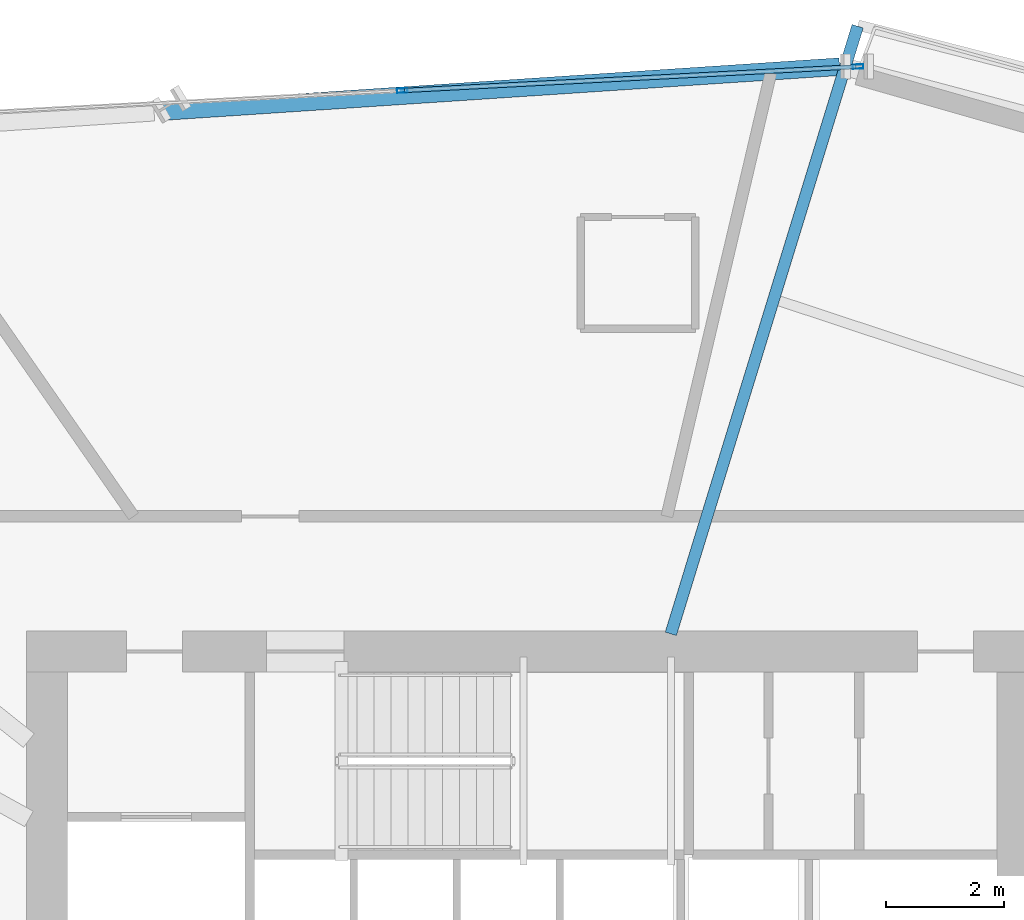
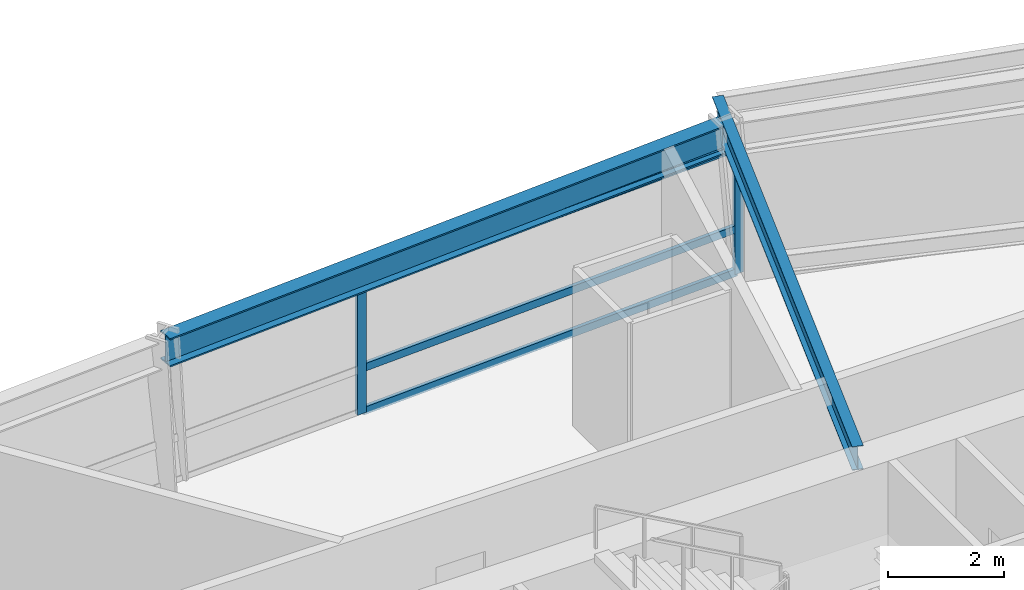
# One storey, part 8 of 21: 5 members, 2 beams, 1 element without a shape of its own.
"""IFC4 building model written with IfcOpenShell, lengths in metres."""

from ifc_helpers import new_model, si_unit, direction, frame, origin, origin_2d, place, context, subcontext, project, spatial, hollow_rectangle, i_section, extrude, source, transform, mapped, material, material_profile, profile_set, type_object, element, aggregate, save


model = new_model("IFC4")

# Units and contexts
model_context = context("Model", 3, precision=1e-05, world=origin(), true_north=direction((0.0, 1.0)))
body_context = subcontext(model_context, "Body", "Model", "MODEL_VIEW")
ifc_project = project(units=[si_unit("LENGTHUNIT", "METRE"), si_unit("AREAUNIT", "SQUARE_METRE"), si_unit("VOLUMEUNIT", "CUBIC_METRE"), si_unit("PLANEANGLEUNIT", "RADIAN"), si_unit("MASSUNIT", "GRAM", prefix="KILO")], contexts=[model_context])

# Site, building, storey
site_placement = place(None, origin())
site = spatial("IfcSite", under=ifc_project, at=site_placement, CompositionType="ELEMENT")
building_placement = place(site_placement, origin())
building = spatial("IfcBuilding", under=site, at=building_placement, Name="Olszyna Solenne Hotel", CompositionType="ELEMENT")
storey_placement = place(building_placement, frame((0.0, 0.0, 105.699951171875)))
storey = spatial("IfcBuildingStorey", under=building, at=storey_placement, Name="L27", CompositionType="ELEMENT", Elevation=105.699951171875)

# Beams
ifc_material_1 = material(Name="Steel S355J2", Category="steel")
ifc_material_profile_1 = material_profile(ifc_material_1, i_section(OverallWidth=0.300048828125, OverallDepth=0.60009765625, WebThickness=0.015380859375, FlangeThickness=0.030029296875, at=origin_2d()), Name="HEB 600", Category="load-bearing")
ifc_profile_set_1 = profile_set([ifc_material_profile_1], Name="Steel S355J2")
beam_type_1 = type_object("IfcBeamType", Name="BM-S2", PredefinedType="BEAM", material=ifc_profile_set_1)
shared_shape_1 = source(origin(), body_context, "Body", "SweptSolid", [
    extrude(i_section(OverallWidth=0.300048828125, OverallDepth=0.60009765625, WebThickness=0.015380859375, FlangeThickness=0.030029296875, at=origin_2d()), origin(), (0.0, 0.0, 1.0), 11.556640625),
])
beam_1_placement = place(storey_placement, frame((43.222412109375, 43.9931640625, 3.0), z_axis=(-0.99780586103, -0.066207731378, 0.0), x_axis=(0.066207731378, -0.99780586103, 0.0)))
element("IfcBeam", 1, at=beam_1_placement, inside=storey, type_object=beam_type_1, Name="Perimeter spandrel beam BM-S2 B-L27-0812", PredefinedType="BEAM", context=body_context, shape_type="MappedRepresentation", body=[
    mapped(shared_shape_1, transform((0.0, 0.0, 0.0), x_axis=(1.0, 0.0, 0.0), y_axis=(0.0, 1.0, 0.0), z_axis=(0.0, 0.0, 1.0), scale=1.0)),
])
ifc_material_profile_2 = material_profile(ifc_material_1, i_section(OverallWidth=0.199951171875, OverallDepth=0.5, WebThickness=0.01025390625, FlangeThickness=0.01611328125, at=origin_2d()), Name="IPE 500", Category="load-bearing")
ifc_profile_set_2 = profile_set([ifc_material_profile_2], Name="Steel S355J2")
beam_type_2 = type_object("IfcBeamType", Name="BM-F3", PredefinedType="BEAM", material=ifc_profile_set_2)
shared_shape_2 = source(origin(), body_context, "Body", "SweptSolid", [
    extrude(i_section(OverallWidth=0.199951171875, OverallDepth=0.5, WebThickness=0.01025390625, FlangeThickness=0.01611328125, at=origin_2d()), origin(), (0.0, 0.0, 1.0), 10.805419921875),
])
beam_2_placement = place(storey_placement, frame((43.52978515625, 44.680419921875, 3.050048828125), z_axis=(-0.293928662125, -0.955827359716, 0.0), x_axis=(0.955827359716, -0.293928662125, 0.0)))
element("IfcBeam", 2, at=beam_2_placement, inside=storey, type_object=beam_type_2, Name="Radial floor girder BM-F3 B-L27-0824", PredefinedType="BEAM", context=body_context, shape_type="MappedRepresentation", body=[
    mapped(shared_shape_2, transform((0.0, 0.0, 0.0), x_axis=(1.0, 0.0, 0.0), y_axis=(0.0, 1.0, 0.0), z_axis=(0.0, 0.0, 1.0), scale=1.0)),
])

# Curtain wall, members
ifc_material_2 = material(Name="Anodised bronze aluminium", Category="aluminium")
curtain_wall_type = type_object("IfcCurtainWallType", Name="CW-SYS-3", PredefinedType="NOTDEFINED", material=ifc_material_2)
curtain_wall_placement = place(storey_placement, origin())
curtain_wall = element("IfcCurtainWall", 3, at=curtain_wall_placement, inside=storey, type_object=curtain_wall_type, Name="Unitised curtain wall CW-SYS-3 CW-L27-02", PredefinedType="NOTDEFINED")
ifc_material_profile_3 = material_profile(ifc_material_2, hollow_rectangle(XDim=0.074951171875, YDim=0.179931640625, WallThickness=0.00439453125, at=origin_2d()), Name="MULL 180x75x4.5", Category="load-bearing")
ifc_profile_set_3 = profile_set([ifc_material_profile_3], Name="Anodised bronze aluminium")
member_type_1 = type_object("IfcMemberType", Name="CW-M2", PredefinedType="MULLION", material=ifc_profile_set_3)
shared_shape_3 = source(origin(), body_context, "Body", "SweptSolid", [
    extrude(hollow_rectangle(XDim=0.074951171875, YDim=0.179931640625, WallThickness=0.00439453125, at=origin_2d()), origin(), (0.0, 0.0, 1.0), 2.692138671875),
])
member_1_placement = place(storey_placement, frame((35.78955078125, 43.58740234375, 0.0), z_axis=(0.0, 0.0, 1.0), x_axis=(-0.052482970069, 0.998621819235, 0.0)))
member_1 = element("IfcMember", 4, at=member_1_placement, type_object=member_type_1, Name="Curtain-wall mullion CW-M2 CM-L27-02-03", PredefinedType="MULLION", context=body_context, shape_type="MappedRepresentation", body=[
    mapped(shared_shape_3, transform((0.0, 0.0, 0.0), x_axis=(1.0, 0.0, 0.0), y_axis=(0.0, 1.0, 0.0), z_axis=(0.0, 0.0, 1.0), scale=1.0)),
])
member_2_placement = place(storey_placement, frame((43.5361328125, 43.99462890625, 0.0), z_axis=(0.0, 0.0, 1.0), x_axis=(-0.052482970069, 0.998621819235, 0.0)))
member_2 = element("IfcMember", 5, at=member_2_placement, type_object=member_type_1, Name="Curtain-wall mullion CW-M2 CM-L27-02-04", PredefinedType="MULLION", context=body_context, shape_type="MappedRepresentation", body=[
    mapped(shared_shape_3, transform((0.0, 0.0, 0.0), x_axis=(1.0, 0.0, 0.0), y_axis=(0.0, 1.0, 0.0), z_axis=(0.0, 0.0, 1.0), scale=1.0)),
])
ifc_material_profile_4 = material_profile(ifc_material_2, hollow_rectangle(XDim=0.074951171875, YDim=0.159912109375, WallThickness=0.00390625, at=origin_2d()), Name="TRAN 160x75x4", Category="load-bearing")
ifc_profile_set_4 = profile_set([ifc_material_profile_4], Name="Anodised bronze aluminium")
member_type_2 = type_object("IfcMemberType", Name="CW-T1", PredefinedType="USERDEFINED", material=ifc_profile_set_4)
shared_shape_4 = source(origin(), body_context, "Body", "SweptSolid", [
    extrude(hollow_rectangle(XDim=0.074951171875, YDim=0.159912109375, WallThickness=0.00390625, at=origin_2d()), origin(), (0.0, 0.0, 1.0), 7.682373046875),
])
member_3_placement = place(storey_placement, frame((35.826904296875, 43.58935546875, 0.03759765625), z_axis=(0.998620987862, 0.052498786658, 0.0), x_axis=(-0.052498786658, 0.998620987862, 0.0)))
member_3 = element("IfcMember", 6, at=member_3_placement, type_object=member_type_2, Name="Curtain-wall transom CW-T1 CT-L27-02-07", ObjectType="TRANSOM", PredefinedType="USERDEFINED", context=body_context, shape_type="MappedRepresentation", body=[
    mapped(shared_shape_4, transform((0.0, 0.0, 0.0), x_axis=(1.0, 0.0, 0.0), y_axis=(0.0, 1.0, 0.0), z_axis=(0.0, 0.0, 1.0), scale=1.0)),
])
member_4_placement = place(storey_placement, frame((35.826904296875, 43.58935546875, 0.949951171875), z_axis=(0.998620987862, 0.052498786658, 0.0), x_axis=(-0.052498786658, 0.998620987862, 0.0)))
member_4 = element("IfcMember", 7, at=member_4_placement, type_object=member_type_2, Name="Curtain-wall transom CW-T1 CT-L27-02-08", ObjectType="TRANSOM", PredefinedType="USERDEFINED", context=body_context, shape_type="MappedRepresentation", body=[
    mapped(shared_shape_4, transform((0.0, 0.0, 0.0), x_axis=(1.0, 0.0, 0.0), y_axis=(0.0, 1.0, 0.0), z_axis=(0.0, 0.0, 1.0), scale=1.0)),
])
member_5_placement = place(storey_placement, frame((35.826904296875, 43.58935546875, 2.654541015625), z_axis=(0.998620987862, 0.052498786658, 0.0), x_axis=(-0.052498786658, 0.998620987862, 0.0)))
member_5 = element("IfcMember", 8, at=member_5_placement, type_object=member_type_2, Name="Curtain-wall transom CW-T1 CT-L27-02-09", ObjectType="TRANSOM", PredefinedType="USERDEFINED", context=body_context, shape_type="MappedRepresentation", body=[
    mapped(shared_shape_4, transform((0.0, 0.0, 0.0), x_axis=(1.0, 0.0, 0.0), y_axis=(0.0, 1.0, 0.0), z_axis=(0.0, 0.0, 1.0), scale=1.0)),
])
aggregate(curtain_wall, [member_1, member_2, member_3, member_4, member_5])

save(model, "model.ifc")
